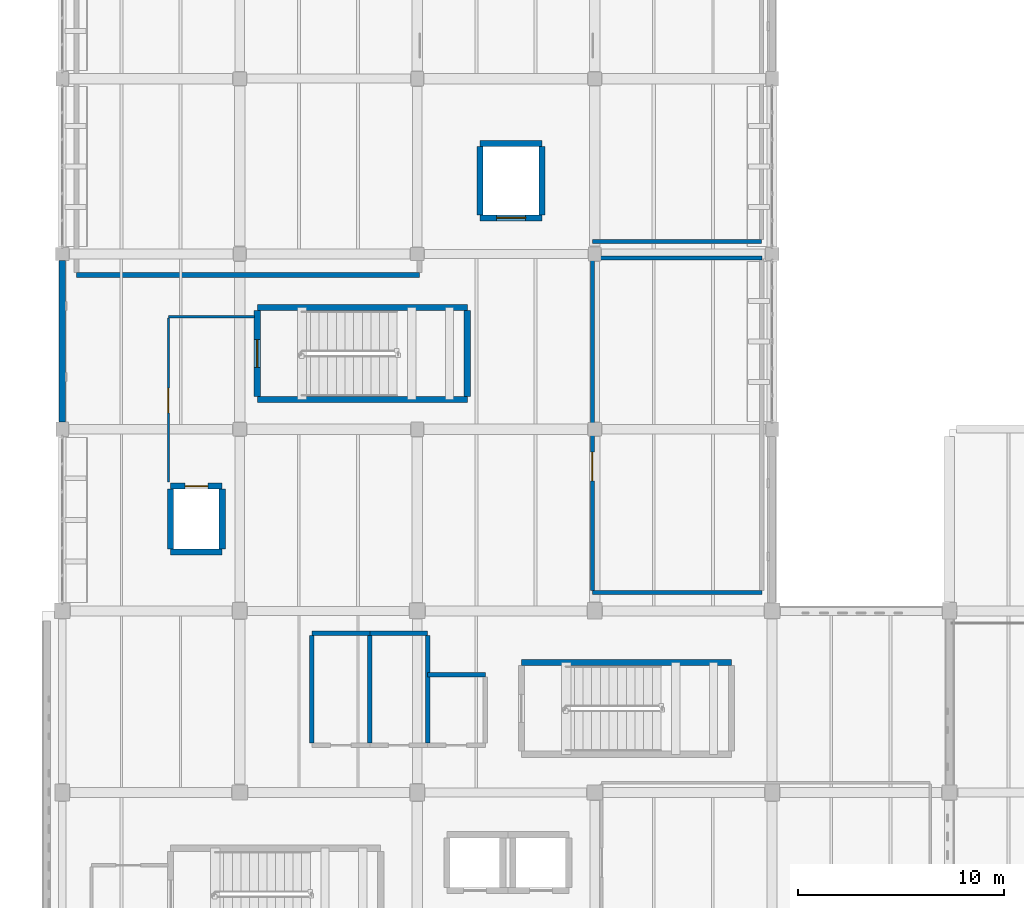
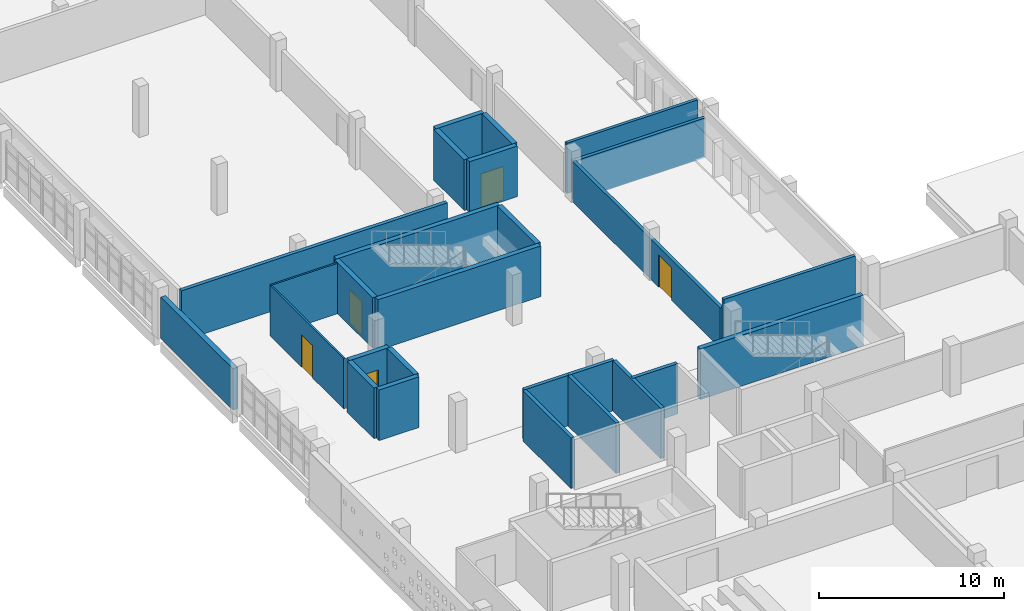
# One storey, part 79 of 93: 27 walls, 5 doors, 5 openings.
"""IFC4 building model written with IfcOpenShell, lengths in metres."""

from ifc_helpers import new_model, si_unit, direction, frame, frame_2d, origin, place, context, subcontext, project, spatial, rectangle, extrude, material, layer, layer_set, type_object, element, fill, save


model = new_model("IFC4")

# Units and contexts
model_context = context("Model", 3, precision=1e-05, world=origin(), true_north=direction((0.0, 1.0)))
body_context = subcontext(model_context, "Body", "Model", "MODEL_VIEW")
ifc_project = project(units=[si_unit("LENGTHUNIT", "METRE"), si_unit("AREAUNIT", "SQUARE_METRE"), si_unit("VOLUMEUNIT", "CUBIC_METRE"), si_unit("PLANEANGLEUNIT", "RADIAN"), si_unit("MASSUNIT", "GRAM", prefix="KILO")], contexts=[model_context])

# Site, building, storey
site_placement = place(None, origin())
site = spatial("IfcSite", under=ifc_project, at=site_placement, CompositionType="ELEMENT")
building_placement = place(site_placement, origin())
building = spatial("IfcBuilding", under=site, at=building_placement, Name="Varnakota Cinema and Media Centre", CompositionType="ELEMENT")
storey_placement = place(building_placement, frame((0.0, 0.0, 12.0)))
storey = spatial("IfcBuildingStorey", under=building, at=storey_placement, Name="L03", CompositionType="ELEMENT", Elevation=12.0)

# Wall
ifc_material_1 = material(Name="Autoclaved aerated concrete blockwork", Category="masonry")
ifc_layer_1 = layer(ifc_material_1, 0.2099609375)
ifc_layer_set_1 = layer_set([ifc_layer_1], Name="Autoclaved aerated concrete blockwork")
wall_type_1 = type_object("IfcWallType", Name="W-ACOUST-210", PredefinedType="PARTITIONING", material=ifc_layer_set_1)
wall_1_placement = place(storey_placement, frame((33.905029296875, 36.094970703125, 0.0), z_axis=(0.0, 0.0, 1.0), x_axis=(-1.0, 0.0, 0.0)))
element("IfcWall", 1, at=wall_1_placement, inside=storey, type_object=wall_type_1, Name="L03 RWALL-RM-L03-ORCH S wall", PredefinedType="PARTITIONING", context=body_context, shape_type="SweptSolid", body=[
    extrude(rectangle(XDim=8.2099609375, YDim=0.2099609375, at=frame_2d((4.10498046875, 0.0))), origin(), (0.0, 0.0, 1.0), 3.330078125),
])

# Wall, opening, door
wall_2_placement = place(storey_placement, frame((25.695068359375, 36.199951171875, 0.0), z_axis=(0.0, 0.0, 1.0), x_axis=(0.0, 1.0, 0.0)))
wall_2 = element("IfcWall", 2, at=wall_2_placement, inside=storey, type_object=wall_type_1, Name="L03 RWALL-RM-L03-ORCH W wall", PredefinedType="PARTITIONING", context=body_context, shape_type="SweptSolid", body=[
    extrude(rectangle(XDim=16.0, YDim=0.2099609375, at=frame_2d((8.0, 0.0))), origin(), (0.0, 0.0, 1.0), 2.679931640625),
])
opening_1_placement = place(wall_2_placement, frame((5.300048828125, 0.0, 0.0)))
opening_1 = element("IfcOpeningElement", 3, at=opening_1_placement, cuts=wall_2, Name="Opening D-093", PredefinedType="OPENING", context=body_context, shape_type="SweptSolid", body=[
    extrude(rectangle(XDim=1.39990234375, YDim=2.14990234375, at=frame_2d((0.699951171875, 1.074951171875))), frame((0.0, 0.10498046875, 0.0), z_axis=(0.0, -1.0, 0.0), x_axis=(1.0, 0.0, 0.0)), (0.0, 0.0, 1.0), 0.2099609375),
])
ifc_material_2 = material(Name="Thermally broken anodised aluminium AW-6063", Category="aluminium")
door_type_1 = type_object("IfcDoorType", Name="DR-STD-1400x2150", OperationType="DOUBLE_DOOR_SINGLE_SWING", PredefinedType="DOOR", material=ifc_material_2)
door_1_placement = place(opening_1_placement, origin())
door_1 = element("IfcDoor", 4, at=door_1_placement, inside=storey, type_object=door_type_1, Name="L03 door D-093", OperationType="DOUBLE_DOOR_SINGLE_SWING", OverallHeight=2.14990234375, OverallWidth=1.39990234375, PredefinedType="DOOR", context=body_context, shape_type="SweptSolid", body=[
    extrude(rectangle(XDim=1.39990234375, YDim=2.14990234375, at=frame_2d((0.699951171875, 1.074951171875))), frame((0.0, 0.02490234375, 0.0), z_axis=(0.0, -1.0, 0.0), x_axis=(1.0, 0.0, 0.0)), (0.0, 0.0, 1.0), 0.050048828125),
])
fill(opening_1, door_1)

# Walls
wall_3_placement = place(storey_placement, frame((25.695068359375, 52.304931640625, 0.0), z_axis=(0.0, 0.0, 1.0), x_axis=(1.0, 0.0, 0.0)))
element("IfcWall", 5, at=wall_3_placement, inside=storey, type_object=wall_type_1, Name="L03 RWALL-RM-L03-ORCH N wall", PredefinedType="PARTITIONING", context=body_context, shape_type="SweptSolid", body=[
    extrude(rectangle(XDim=8.2099609375, YDim=0.2099609375, at=frame_2d((4.10498046875, 0.0))), origin(), (0.0, 0.0, 1.0), 2.6298828125),
])
ifc_material_3 = material(Name="Autoclaved aerated concrete blockwork", Category="masonry")
ifc_layer_2 = layer(ifc_material_3, 0.22998046875)
ifc_layer_set_2 = layer_set([ifc_layer_2], Name="Autoclaved aerated concrete blockwork")
wall_type_2 = type_object("IfcWallType", Name="W-BOX-230", PredefinedType="PARTITIONING", material=ifc_layer_set_2)
wall_4_placement = place(storey_placement, frame((17.31494140625, 51.485107421875, 0.0), z_axis=(0.0, 0.0, 1.0), x_axis=(-1.0, 0.0, 0.0)))
element("IfcWall", 6, at=wall_4_placement, inside=storey, type_object=wall_type_2, Name="L03 RWALL-RM-L03-POD S wall", PredefinedType="PARTITIONING", context=body_context, shape_type="SweptSolid", body=[
    extrude(rectangle(XDim=16.6298828125, YDim=0.22998046875, at=frame_2d((8.31494140625, 0.0))), origin(), (0.0, 0.0, 1.0), 3.330078125),
])
ifc_material_4 = material(Name="Concrete M40", Category="concrete")
ifc_layer_3 = layer(ifc_material_4, 0.300048828125)
ifc_layer_set_3 = layer_set([ifc_layer_3], Name="Concrete M40")
wall_type_3 = type_object("IfcWallType", Name="W-CORE-300", PredefinedType="SHEAR", material=ifc_layer_set_3)
for number, where, z_axis, x_axis, name in (
    (7, (22.25, 32.699951171875, 0.0), (0.0, 0.0, 1.0), (1.0, 0.0, 0.0), "L03 CWALL-ST-02-L03 N wall"),
    (8, (19.6298828125, 45.449951171875, 0.0), (0.0, 0.0, 1.0), (-1.0, 0.0, 0.0), "L03 CWALL-ST-03-L03 S wall"),
):
    element("IfcWall", number, at=place(storey_placement, frame(where, z_axis=z_axis, x_axis=x_axis)), inside=storey, type_object=wall_type_3, Name=name, PredefinedType="SHEAR", context=body_context, shape_type="SweptSolid", body=[
        extrude(rectangle(XDim=10.179931640625, YDim=0.300048828125, at=frame_2d((5.08984375, 0.0))), origin(), (0.0, 0.0, 1.0), 3.35009765625),
    ])

# Wall, opening, door
wall_5_placement = place(storey_placement, frame((9.449951171875, 45.60009765625, 0.0), z_axis=(0.0, 0.0, 1.0), x_axis=(0.0, 1.0, 0.0)))
wall_5 = element("IfcWall", 9, at=wall_5_placement, inside=storey, type_object=wall_type_3, Name="L03 CWALL-ST-03-L03 W wall", PredefinedType="SHEAR", context=body_context, shape_type="SweptSolid", body=[
    extrude(rectangle(XDim=4.14990234375, YDim=0.300048828125, at=frame_2d((2.074951171875, 0.0))), origin(), (0.0, 0.0, 1.0), 3.35009765625),
])
opening_2_placement = place(wall_5_placement, frame((1.39990234375, 0.0, 0.0)))
opening_2 = element("IfcOpeningElement", 10, at=opening_2_placement, cuts=wall_5, Name="Opening SD-03", PredefinedType="OPENING", context=body_context, shape_type="SweptSolid", body=[
    extrude(rectangle(XDim=1.35009765625, YDim=2.199951171875, at=frame_2d((0.675048828125, 1.10009765625))), frame((0.0, 0.14990234375, 0.0), z_axis=(0.0, -1.0, 0.0), x_axis=(1.0, 0.0, 0.0)), (0.0, 0.0, 1.0), 0.300048828125),
])
ifc_material_5 = material(Name="Thermally broken anodised aluminium AW-6063", Category="aluminium")
door_type_2 = type_object("IfcDoorType", Name="DR-STAIR-1350x2200", OperationType="NOTDEFINED", PredefinedType="DOOR", material=ifc_material_5)
door_2_placement = place(opening_2_placement, origin())
door_2 = element("IfcDoor", 11, at=door_2_placement, inside=storey, type_object=door_type_2, Name="L03 door SD-03", OperationType="SINGLE_SWING_RIGHT", OverallHeight=2.199951171875, OverallWidth=1.35009765625, PredefinedType="DOOR", context=body_context, shape_type="SweptSolid", body=[
    extrude(rectangle(XDim=1.35009765625, YDim=2.199951171875, at=frame_2d((0.675048828125, 1.10009765625))), frame((0.0, 0.02490234375, 0.0), z_axis=(0.0, -1.0, 0.0), x_axis=(1.0, 0.0, 0.0)), (0.0, 0.0, 1.0), 0.050048828125),
])
fill(opening_2, door_2)

# Walls
wall_6_placement = place(storey_placement, frame((9.449951171875, 49.89990234375, 0.0), z_axis=(0.0, 0.0, 1.0), x_axis=(1.0, 0.0, 0.0)))
element("IfcWall", 12, at=wall_6_placement, inside=storey, type_object=wall_type_3, Name="L03 CWALL-ST-03-L03 N wall", PredefinedType="SHEAR", context=body_context, shape_type="SweptSolid", body=[
    extrude(rectangle(XDim=10.179931640625, YDim=0.300048828125, at=frame_2d((5.08984375, 0.0))), origin(), (0.0, 0.0, 1.0), 3.35009765625),
])
wall_7_placement = place(storey_placement, frame((19.6298828125, 49.75, 0.0), z_axis=(0.0, 0.0, 1.0), x_axis=(0.0, -1.0, 0.0)))
element("IfcWall", 13, at=wall_7_placement, inside=storey, type_object=wall_type_3, Name="L03 CWALL-ST-03-L03 E wall", PredefinedType="SHEAR", context=body_context, shape_type="SweptSolid", body=[
    extrude(rectangle(XDim=4.14990234375, YDim=0.300048828125, at=frame_2d((2.074951171875, 0.0))), origin(), (0.0, 0.0, 1.0), 3.35009765625),
])
wall_8_placement = place(storey_placement, frame((7.75, 38.050048828125, 0.0), z_axis=(0.0, 0.0, 1.0), x_axis=(-1.0, 0.0, 0.0)))
element("IfcWall", 14, at=wall_8_placement, inside=storey, type_object=wall_type_3, Name="L03 LSHAFT-LF-02-L03 S wall", PredefinedType="SHEAR", context=body_context, shape_type="SweptSolid", body=[
    extrude(rectangle(XDim=2.5, YDim=0.300048828125, at=frame_2d((1.25, 0.0))), origin(), (0.0, 0.0, 1.0), 3.35009765625),
])
wall_9_placement = place(storey_placement, frame((5.25, 38.199951171875, 0.0), z_axis=(0.0, 0.0, 1.0), x_axis=(0.0, 1.0, 0.0)))
element("IfcWall", 15, at=wall_9_placement, inside=storey, type_object=wall_type_3, Name="L03 LSHAFT-LF-02-L03 W wall", PredefinedType="SHEAR", context=body_context, shape_type="SweptSolid", body=[
    extrude(rectangle(XDim=2.900146484375, YDim=0.300048828125, at=frame_2d((1.4501953125, 0.0))), origin(), (0.0, 0.0, 1.0), 3.35009765625),
])

# Wall, opening, door
wall_10_placement = place(storey_placement, frame((5.25, 41.25, 0.0), z_axis=(0.0, 0.0, 1.0), x_axis=(1.0, 0.0, 0.0)))
wall_10 = element("IfcWall", 16, at=wall_10_placement, inside=storey, type_object=wall_type_3, Name="L03 LSHAFT-LF-02-L03 N wall", PredefinedType="SHEAR", context=body_context, shape_type="SweptSolid", body=[
    extrude(rectangle(XDim=2.5, YDim=0.300048828125, at=frame_2d((1.25, 0.0))), origin(), (0.0, 0.0, 1.0), 3.35009765625),
])
opening_3_placement = place(wall_10_placement, frame((0.699951171875, 0.0, 0.0)))
opening_3 = element("IfcOpeningElement", 17, at=opening_3_placement, cuts=wall_10, Name="Opening LD-02", PredefinedType="OPENING", context=body_context, shape_type="SweptSolid", body=[
    extrude(rectangle(XDim=1.10009765625, YDim=2.10009765625, at=frame_2d((0.550048828125, 1.050048828125))), frame((0.0, 0.14990234375, 0.0), z_axis=(0.0, -1.0, 0.0), x_axis=(1.0, 0.0, 0.0)), (0.0, 0.0, 1.0), 0.300048828125),
])
ifc_material_6 = material(Name="Thermally broken anodised aluminium AW-6063", Category="aluminium")
door_type_3 = type_object("IfcDoorType", Name="DR-LIFT-1100x2100", OperationType="SLIDING_TO_LEFT", PredefinedType="DOOR", material=ifc_material_6)
door_3_placement = place(opening_3_placement, origin())
door_3 = element("IfcDoor", 18, at=door_3_placement, inside=storey, type_object=door_type_3, Name="L03 door LD-02", OperationType="SLIDING_TO_LEFT", OverallHeight=2.10009765625, OverallWidth=1.10009765625, PredefinedType="DOOR", context=body_context, shape_type="SweptSolid", body=[
    extrude(rectangle(XDim=1.10009765625, YDim=2.10009765625, at=frame_2d((0.550048828125, 1.050048828125))), frame((0.0, 0.02490234375, 0.0), z_axis=(0.0, -1.0, 0.0), x_axis=(1.0, 0.0, 0.0)), (0.0, 0.0, 1.0), 0.050048828125),
])
fill(opening_3, door_3)

# Wall
wall_11_placement = place(storey_placement, frame((7.75, 41.10009765625, 0.0), z_axis=(0.0, 0.0, 1.0), x_axis=(0.0, -1.0, 0.0)))
element("IfcWall", 19, at=wall_11_placement, inside=storey, type_object=wall_type_3, Name="L03 LSHAFT-LF-02-L03 E wall", PredefinedType="SHEAR", context=body_context, shape_type="SweptSolid", body=[
    extrude(rectangle(XDim=2.900146484375, YDim=0.300048828125, at=frame_2d((1.4501953125, 0.0))), origin(), (0.0, 0.0, 1.0), 3.35009765625),
])

# Wall, opening, door
wall_12_placement = place(storey_placement, frame((23.25, 54.25, 0.0), z_axis=(0.0, 0.0, 1.0), x_axis=(-1.0, 0.0, 0.0)))
wall_12 = element("IfcWall", 20, at=wall_12_placement, inside=storey, type_object=wall_type_3, Name="L03 LSHAFT-LF-07-L03 S wall", PredefinedType="SHEAR", context=body_context, shape_type="SweptSolid", body=[
    extrude(rectangle(XDim=3.0, YDim=0.300048828125, at=frame_2d((1.5, 0.0))), origin(), (0.0, 0.0, 1.0), 3.35009765625),
])
opening_4_placement = place(wall_12_placement, frame((0.800048828125, 0.0, 0.0)))
opening_4 = element("IfcOpeningElement", 21, at=opening_4_placement, cuts=wall_12, Name="Opening LD-07", PredefinedType="OPENING", context=body_context, shape_type="SweptSolid", body=[
    extrude(rectangle(XDim=1.39990234375, YDim=2.199951171875, at=frame_2d((0.699951171875, 1.10009765625))), frame((0.0, 0.14990234375, 0.0), z_axis=(0.0, -1.0, 0.0), x_axis=(1.0, 0.0, 0.0)), (0.0, 0.0, 1.0), 0.300048828125),
])
ifc_material_7 = material(Name="Thermally broken anodised aluminium AW-6063", Category="aluminium")
door_type_4 = type_object("IfcDoorType", Name="DR-LIFT-1400x2200", OperationType="DOUBLE_DOOR_SLIDING", PredefinedType="DOOR", material=ifc_material_7)
door_4_placement = place(opening_4_placement, origin())
door_4 = element("IfcDoor", 22, at=door_4_placement, inside=storey, type_object=door_type_4, Name="L03 door LD-07", OperationType="DOUBLE_DOOR_SLIDING", OverallHeight=2.199951171875, OverallWidth=1.39990234375, PredefinedType="DOOR", context=body_context, shape_type="SweptSolid", body=[
    extrude(rectangle(XDim=1.39990234375, YDim=2.199951171875, at=frame_2d((0.699951171875, 1.10009765625))), frame((0.0, 0.02490234375, 0.0), z_axis=(0.0, -1.0, 0.0), x_axis=(1.0, 0.0, 0.0)), (0.0, 0.0, 1.0), 0.050048828125),
])
fill(opening_4, door_4)

# Walls
wall_13_placement = place(storey_placement, frame((20.25, 54.39990234375, 0.0), z_axis=(0.0, 0.0, 1.0), x_axis=(0.0, 1.0, 0.0)))
element("IfcWall", 23, at=wall_13_placement, inside=storey, type_object=wall_type_3, Name="L03 LSHAFT-LF-07-L03 W wall", PredefinedType="SHEAR", context=body_context, shape_type="SweptSolid", body=[
    extrude(rectangle(XDim=3.300048828125, YDim=0.300048828125, at=frame_2d((1.64990234375, 0.0))), origin(), (0.0, 0.0, 1.0), 3.35009765625),
])
wall_14_placement = place(storey_placement, frame((20.25, 57.85009765625, 0.0), z_axis=(0.0, 0.0, 1.0), x_axis=(1.0, 0.0, 0.0)))
element("IfcWall", 24, at=wall_14_placement, inside=storey, type_object=wall_type_3, Name="L03 LSHAFT-LF-07-L03 N wall", PredefinedType="SHEAR", context=body_context, shape_type="SweptSolid", body=[
    extrude(rectangle(XDim=3.0, YDim=0.300048828125, at=frame_2d((1.5, 0.0))), origin(), (0.0, 0.0, 1.0), 3.35009765625),
])
wall_15_placement = place(storey_placement, frame((23.25, 57.699951171875, 0.0), z_axis=(0.0, 0.0, 1.0), x_axis=(0.0, -1.0, 0.0)))
element("IfcWall", 25, at=wall_15_placement, inside=storey, type_object=wall_type_3, Name="L03 LSHAFT-LF-07-L03 E wall", PredefinedType="SHEAR", context=body_context, shape_type="SweptSolid", body=[
    extrude(rectangle(XDim=3.300048828125, YDim=0.300048828125, at=frame_2d((1.64990234375, 0.0))), origin(), (0.0, 0.0, 1.0), 3.35009765625),
])
ifc_material_8 = material(Name="Deccan grey granite ashlar", Category="masonry")
ifc_layer_4 = layer(ifc_material_8, 0.320068359375)
ifc_layer_set_4 = layer_set([ifc_layer_4], Name="Deccan grey granite ashlar")
wall_type_4 = type_object("IfcWallType", Name="W-EXT-GRAN-320", PredefinedType="SOLIDWALL", material=ifc_layer_set_4)
wall_16_placement = place(storey_placement, frame((0.0, 52.175048828125, 0.0), z_axis=(0.0, 0.0, 1.0), x_axis=(0.0, -1.0, 0.0)))
element("IfcWall", 26, at=wall_16_placement, inside=storey, type_object=wall_type_4, Name="L03 exterior wall V5-W-4", PredefinedType="SOLIDWALL", context=body_context, shape_type="SweptSolid", body=[
    extrude(rectangle(XDim=7.824951171875, YDim=0.320068359375, at=frame_2d((3.91259765625, 0.0))), origin(), (0.0, 0.0, 1.0), 2.735107421875),
])

# Wall, opening, door
ifc_material_9 = material(Name="Autoclaved aerated concrete blockwork", Category="masonry")
ifc_layer_5 = layer(ifc_material_9, 0.110107421875)
ifc_layer_set_5 = layer_set([ifc_layer_5], Name="Autoclaved aerated concrete blockwork")
wall_type_5 = type_object("IfcWallType", Name="W-PART-110", PredefinedType="PARTITIONING", material=ifc_layer_set_5)
wall_17_placement = place(storey_placement, frame((5.14501953125, 41.449951171875, 0.0), z_axis=(0.0, 0.0, 1.0), x_axis=(0.0, 1.0, 0.0)))
wall_17 = element("IfcWall", 27, at=wall_17_placement, inside=storey, type_object=wall_type_5, Name="L03 RWALL-RM-L03-FF-2 W wall", PredefinedType="PARTITIONING", context=body_context, shape_type="SweptSolid", body=[
    extrude(rectangle(XDim=7.949951171875, YDim=0.110107421875, at=frame_2d((3.97509765625, 0.0))), origin(), (0.0, 0.0, 1.0), 3.330078125),
])
opening_5_placement = place(wall_17_placement, frame((3.35009765625, 0.0, 0.0)))
opening_5 = element("IfcOpeningElement", 28, at=opening_5_placement, cuts=wall_17, Name="Opening D-014", PredefinedType="OPENING", context=body_context, shape_type="SweptSolid", body=[
    extrude(rectangle(XDim=1.199951171875, YDim=2.14990234375, at=frame_2d((0.60009765625, 1.074951171875))), frame((0.0, 0.05517578125, 0.0), z_axis=(0.0, -1.0, 0.0), x_axis=(1.0, 0.0, 0.0)), (0.0, 0.0, 1.0), 0.110107421875),
])
ifc_material_10 = material(Name="Thermally broken anodised aluminium AW-6063", Category="aluminium")
door_type_5 = type_object("IfcDoorType", Name="DR-STD-1200x2150", OperationType="NOTDEFINED", PredefinedType="DOOR", material=ifc_material_10)
door_5_placement = place(opening_5_placement, origin())
door_5 = element("IfcDoor", 29, at=door_5_placement, inside=storey, type_object=door_type_5, Name="L03 door D-014", OperationType="SINGLE_SWING_RIGHT", OverallHeight=2.14990234375, OverallWidth=1.199951171875, PredefinedType="DOOR", context=body_context, shape_type="SweptSolid", body=[
    extrude(rectangle(XDim=1.199951171875, YDim=2.14990234375, at=frame_2d((0.60009765625, 1.074951171875))), frame((0.0, 0.02490234375, 0.0), z_axis=(0.0, -1.0, 0.0), x_axis=(1.0, 0.0, 0.0)), (0.0, 0.0, 1.0), 0.050048828125),
])
fill(opening_5, door_5)

# Walls
wall_18_placement = place(storey_placement, frame((5.14501953125, 49.455078125, 0.0), z_axis=(0.0, 0.0, 1.0), x_axis=(1.0, 0.0, 0.0)))
element("IfcWall", 30, at=wall_18_placement, inside=storey, type_object=wall_type_5, Name="L03 RWALL-RM-L03-FF-2 N wall", PredefinedType="PARTITIONING", context=body_context, shape_type="SweptSolid", body=[
    extrude(rectangle(XDim=4.159912109375, YDim=0.110107421875, at=frame_2d((2.080078125, 0.0))), origin(), (0.0, 0.0, 1.0), 3.330078125),
])
ifc_material_11 = material(Name="Autoclaved aerated concrete blockwork", Category="masonry")
ifc_layer_6 = layer(ifc_material_11, 0.18994140625)
ifc_layer_set_6 = layer_set([ifc_layer_6], Name="Autoclaved aerated concrete blockwork")
wall_type_6 = type_object("IfcWallType", Name="W-PART-190", PredefinedType="PARTITIONING", material=ifc_layer_set_6)
wall_19_placement = place(storey_placement, frame((33.89501953125, 53.10498046875, 0.0), z_axis=(0.0, 0.0, 1.0), x_axis=(-1.0, 0.0, 0.0)))
element("IfcWall", 31, at=wall_19_placement, inside=storey, type_object=wall_type_6, Name="L03 RWALL-RM-L03-CANTEEN S wall", PredefinedType="PARTITIONING", context=body_context, shape_type="SweptSolid", body=[
    extrude(rectangle(XDim=8.18994140625, YDim=0.18994140625, at=frame_2d((4.094970703125, 0.0))), origin(), (0.0, 0.0, 1.0), 3.330078125),
])
ifc_material_12 = material(Name="Autoclaved aerated concrete blockwork", Category="masonry")
ifc_layer_7 = layer(ifc_material_12, 0.219970703125)
ifc_layer_set_7 = layer_set([ifc_layer_7], Name="Autoclaved aerated concrete blockwork")
wall_type_7 = type_object("IfcWallType", Name="W-PLUMB-220", PredefinedType="PLUMBINGWALL", material=ifc_layer_set_7)
wall_20_placement = place(storey_placement, frame((12.090087890625, 28.800048828125, 0.0), z_axis=(0.0, 0.0, 1.0), x_axis=(0.0, 1.0, 0.0)))
element("IfcWall", 32, at=wall_20_placement, inside=storey, type_object=wall_type_7, Name="L03 RWALL-RM-L03-WCM W wall", PredefinedType="PLUMBINGWALL", context=body_context, shape_type="SweptSolid", body=[
    extrude(rectangle(XDim=5.199951171875, YDim=0.219970703125, at=frame_2d((2.60009765625, 0.0))), origin(), (0.0, 0.0, 1.0), 3.330078125),
])
wall_21_placement = place(storey_placement, frame((12.090087890625, 34.110107421875, 0.0), z_axis=(0.0, 0.0, 1.0), x_axis=(1.0, 0.0, 0.0)))
element("IfcWall", 33, at=wall_21_placement, inside=storey, type_object=wall_type_7, Name="L03 RWALL-RM-L03-WCM N wall", PredefinedType="PLUMBINGWALL", context=body_context, shape_type="SweptSolid", body=[
    extrude(rectangle(XDim=2.81982421875, YDim=0.219970703125, at=frame_2d((1.409912109375, 0.0))), origin(), (0.0, 0.0, 1.0), 3.330078125),
])
wall_22_placement = place(storey_placement, frame((14.909912109375, 34.0, 0.0), z_axis=(0.0, 0.0, 1.0), x_axis=(0.0, -1.0, 0.0)))
element("IfcWall", 34, at=wall_22_placement, inside=storey, type_object=wall_type_7, Name="L03 RWALL-RM-L03-WCM E wall", PredefinedType="PLUMBINGWALL", context=body_context, shape_type="SweptSolid", body=[
    extrude(rectangle(XDim=5.199951171875, YDim=0.219970703125, at=frame_2d((2.60009765625, 0.0))), origin(), (0.0, 0.0, 1.0), 3.330078125),
])
wall_23_placement = place(storey_placement, frame((14.889892578125, 34.110107421875, 0.0), z_axis=(0.0, 0.0, 1.0), x_axis=(1.0, 0.0, 0.0)))
element("IfcWall", 35, at=wall_23_placement, inside=storey, type_object=wall_type_7, Name="L03 RWALL-RM-L03-WCF N wall", PredefinedType="PLUMBINGWALL", context=body_context, shape_type="SweptSolid", body=[
    extrude(rectangle(XDim=2.820068359375, YDim=0.219970703125, at=frame_2d((1.41015625, 0.0))), origin(), (0.0, 0.0, 1.0), 3.330078125),
])
wall_24_placement = place(storey_placement, frame((17.7099609375, 34.0, 0.0), z_axis=(0.0, 0.0, 1.0), x_axis=(0.0, -1.0, 0.0)))
element("IfcWall", 36, at=wall_24_placement, inside=storey, type_object=wall_type_7, Name="L03 RWALL-RM-L03-WCF E wall", PredefinedType="PLUMBINGWALL", context=body_context, shape_type="SweptSolid", body=[
    extrude(rectangle(XDim=5.199951171875, YDim=0.219970703125, at=frame_2d((2.60009765625, 0.0))), origin(), (0.0, 0.0, 1.0), 3.330078125),
])
wall_25_placement = place(storey_placement, frame((17.68994140625, 32.110107421875, 0.0), z_axis=(0.0, 0.0, 1.0), x_axis=(1.0, 0.0, 0.0)))
element("IfcWall", 37, at=wall_25_placement, inside=storey, type_object=wall_type_7, Name="L03 RWALL-RM-L03-WCA N wall", PredefinedType="PLUMBINGWALL", context=body_context, shape_type="SweptSolid", body=[
    extrude(rectangle(XDim=2.820068359375, YDim=0.219970703125, at=frame_2d((1.41015625, 0.0))), origin(), (0.0, 0.0, 1.0), 3.330078125),
])

save(model, "model.ifc")
